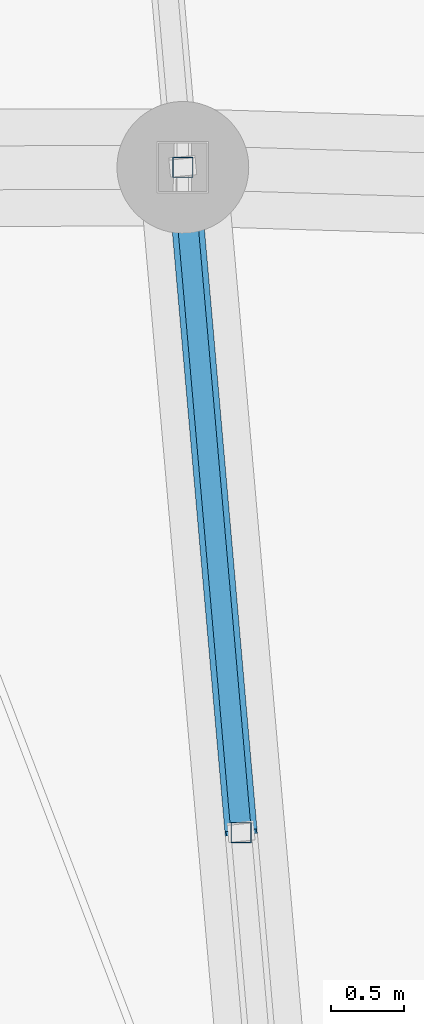
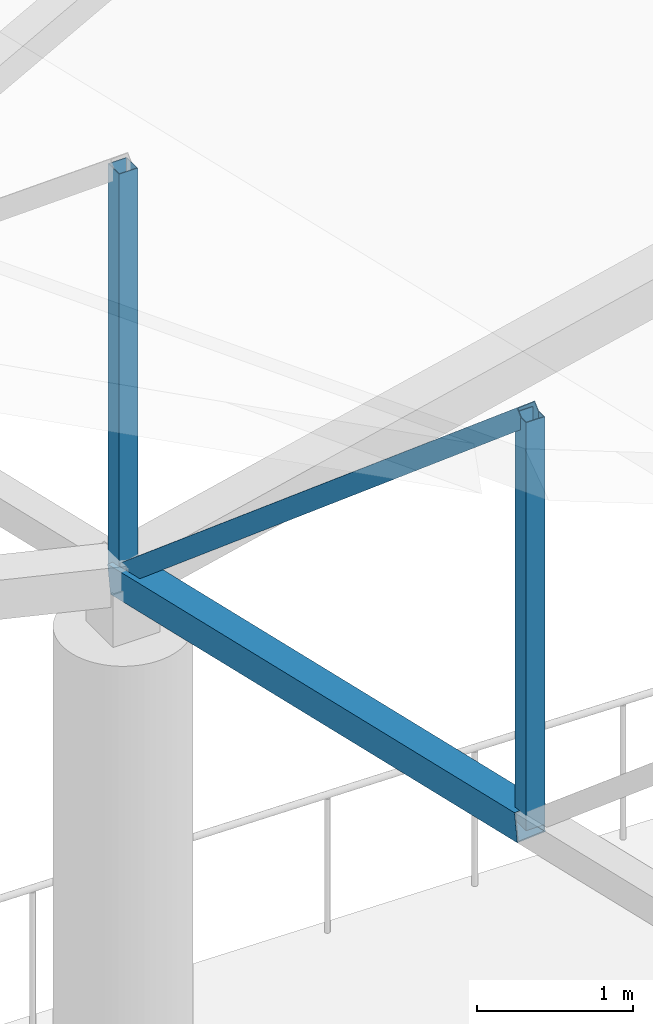
# One storey, part 35 of 344: 4 members.
"""IFC4 building model written with IfcOpenShell, lengths in metres."""

from ifc_helpers import new_model, si_unit, direction, frame, origin, origin_2d, place, context, subcontext, project, spatial, hollow_rectangle, extrude, material, material_profile, profile_set, type_object, element, save


model = new_model("IFC4")

# Units and contexts
model_context = context("Model", 3, precision=1e-05, world=origin(), true_north=direction((0.0, 1.0)))
body_context = subcontext(model_context, "Body", "Model", "MODEL_VIEW")
ifc_project = project(units=[si_unit("LENGTHUNIT", "METRE"), si_unit("AREAUNIT", "SQUARE_METRE"), si_unit("VOLUMEUNIT", "CUBIC_METRE"), si_unit("PLANEANGLEUNIT", "RADIAN"), si_unit("MASSUNIT", "GRAM", prefix="KILO")], contexts=[model_context])

# Site, building, storey
site_placement = place(None, origin())
site = spatial("IfcSite", under=ifc_project, at=site_placement, CompositionType="ELEMENT")
building_placement = place(site_placement, origin())
building = spatial("IfcBuilding", under=site, at=building_placement, Name="Meseta Stadium", CompositionType="ELEMENT")
storey_placement = place(building_placement, frame((0.0, 0.0, 24.0)))
storey = spatial("IfcBuildingStorey", under=building, at=storey_placement, Name="L04", CompositionType="ELEMENT", Elevation=24.0)

# Members
ifc_material_1 = material(Name="Steel S355", Category="steel")
ifc_material_profile_1 = material_profile(ifc_material_1, hollow_rectangle(XDim=0.139892578125, YDim=0.139892578125, WallThickness=0.0048828125, at=origin_2d()), Name="SHS 140x140x5")
ifc_profile_set_1 = profile_set([ifc_material_profile_1], Name="Steel S355")
member_type_1 = type_object("IfcMemberType", Name="SHS 140x140x5 diagonal", PredefinedType="BRACE", material=ifc_profile_set_1)
member_1_placement = place(storey_placement, frame((6.870849609375, -89.517822265625, 5.212646484375), z_axis=(0.066593834062, -0.759905100344, 0.646613872212), x_axis=(0.996182081801, 0.087299827599, 0.0)))
element("IfcMember", 1, at=member_1_placement, inside=storey, type_object=member_type_1, Name="ROOF TRUSS RT-47 diagonal", PredefinedType="BRACE", context=body_context, shape_type="SweptSolid", body=[
    extrude(hollow_rectangle(XDim=0.139892578125, YDim=0.139892578125, WallThickness=0.0048828125, at=origin_2d()), origin(), (0.0, 0.0, 1.0), 5.975830078125),
])
ifc_material_2 = material(Name="Steel S355", Category="steel")
ifc_material_profile_2 = material_profile(ifc_material_2, hollow_rectangle(XDim=0.139892578125, YDim=0.139892578125, WallThickness=0.0048828125, at=origin_2d()), Name="SHS 140x140x5")
ifc_profile_set_2 = profile_set([ifc_material_profile_2], Name="Steel S355")
member_type_2 = type_object("IfcMemberType", Name="SHS 140x140x5 post", PredefinedType="POST", material=ifc_profile_set_2)
for number, where, z_axis, x_axis, name in (
    (2, (6.870849609375, -89.517822265625, 5.212646484375), (0.0, 0.0, 1.0), (1.0, 0.0, 0.0), "ROOF TRUSS RT-47 post"),
    (3, (7.268798828125, -94.058837890625, 5.876708984375), (0.0, 0.0, 1.0), (1.0, 0.0, 0.0), "ROOF TRUSS RT-47 post"),
):
    element("IfcMember", number, at=place(storey_placement, frame(where, z_axis=z_axis, x_axis=x_axis)), inside=storey, type_object=member_type_2, Name=name, PredefinedType="POST", context=body_context, shape_type="SweptSolid", body=[
        extrude(hollow_rectangle(XDim=0.139892578125, YDim=0.139892578125, WallThickness=0.0048828125, at=origin_2d()), origin(), (0.0, 0.0, 1.0), 3.199951171875),
    ])
ifc_material_3 = material(Name="Steel S355", Category="steel")
ifc_material_profile_3 = material_profile(ifc_material_3, hollow_rectangle(XDim=0.219970703125, YDim=0.219970703125, WallThickness=0.008056640625, at=origin_2d()), Name="SHS 220x220x8")
ifc_profile_set_3 = profile_set([ifc_material_profile_3], Name="Steel S355")
member_type_3 = type_object("IfcMemberType", Name="SHS 220x220x8 bottom chord", PredefinedType="CHORD", material=ifc_profile_set_3)
member_2_placement = place(storey_placement, frame((6.870849609375, -89.517822265625, 5.212646484375), z_axis=(0.08638797087, -0.985776845507, 0.144156613967), x_axis=(0.996182081801, 0.087299827599, 0.0)))
element("IfcMember", 4, at=member_2_placement, inside=storey, type_object=member_type_3, Name="ROOF TRUSS RT-47 bottom chord", PredefinedType="CHORD", context=body_context, shape_type="SweptSolid", body=[
    extrude(hollow_rectangle(XDim=0.219970703125, YDim=0.219970703125, WallThickness=0.008056640625, at=origin_2d()), origin(), (0.0, 0.0, 1.0), 4.6064453125),
])

save(model, "model.ifc")
